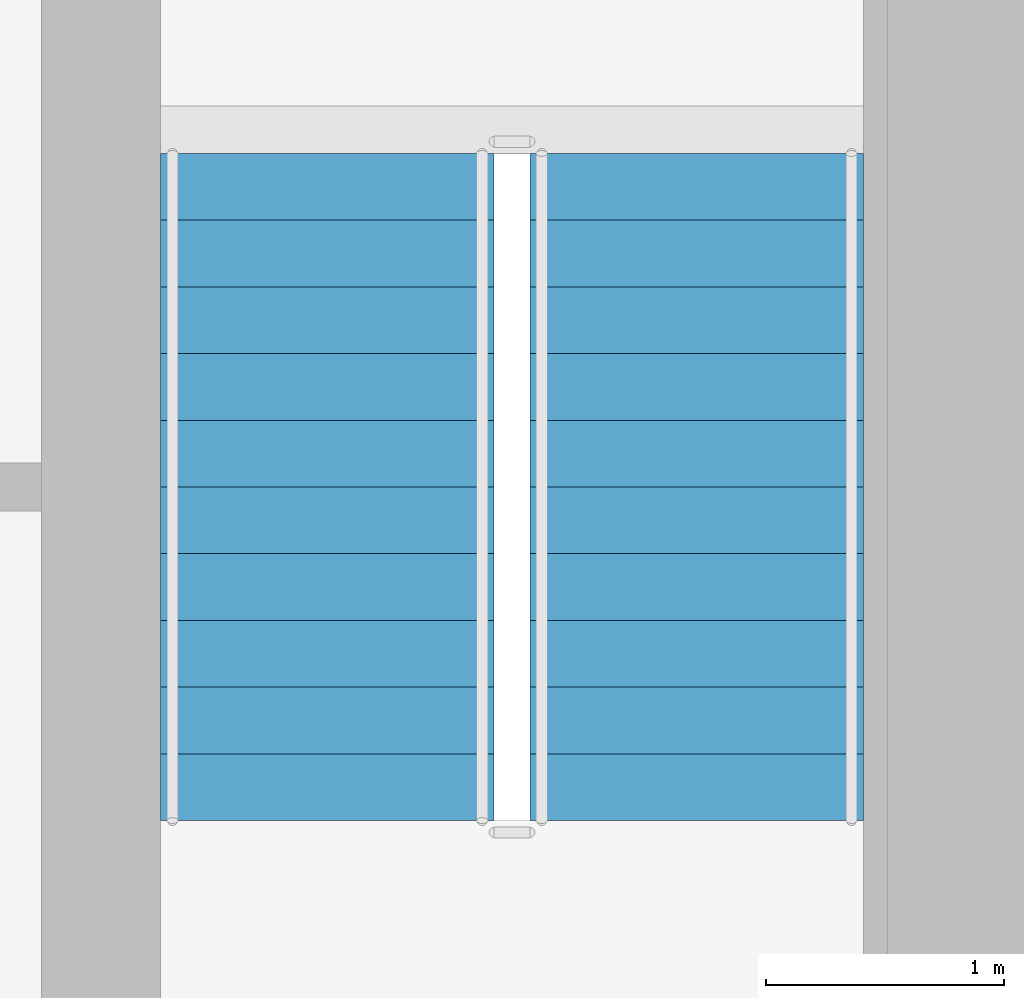
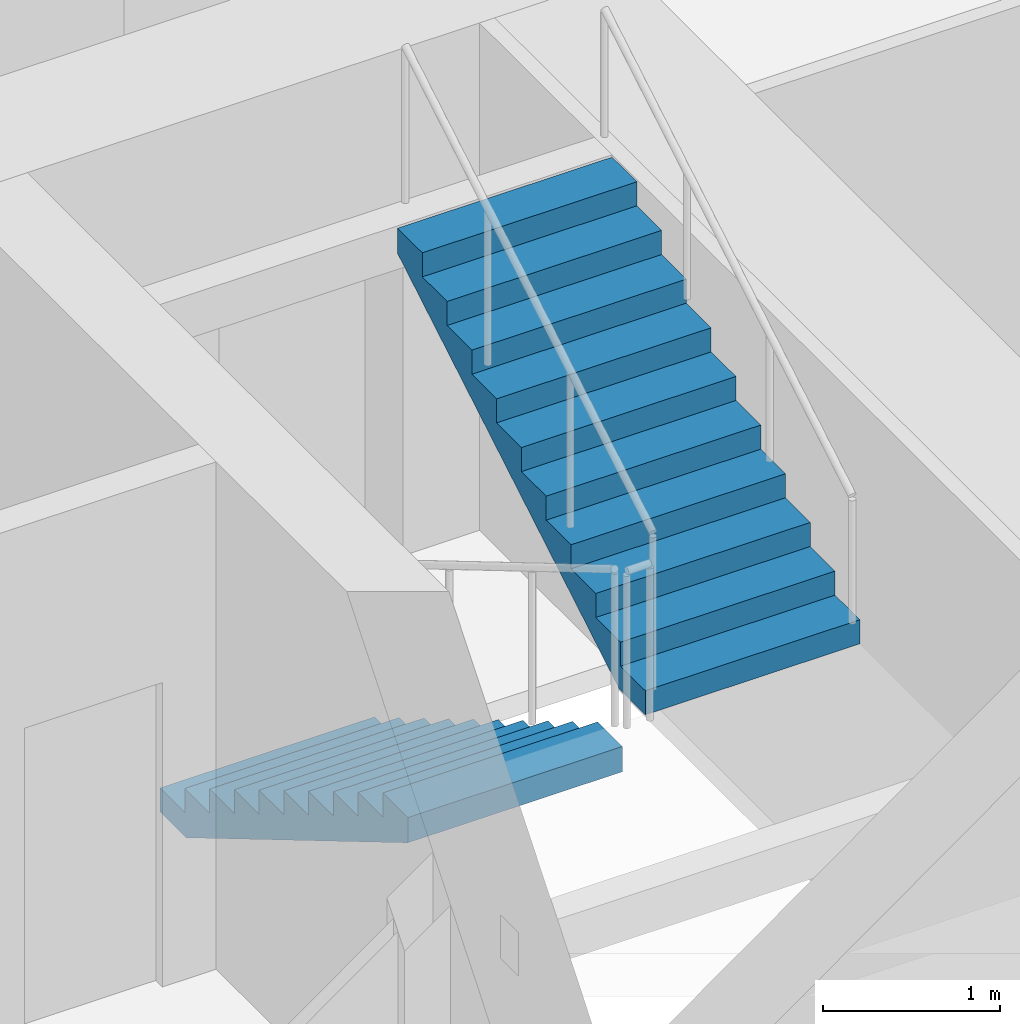
# One storey, part 17 of 21: 2 stair flights, 1 element without a shape of its own.
"""IFC4 building model written with IfcOpenShell, lengths in metres."""

from ifc_helpers import new_model, si_unit, direction, frame, origin, place, context, subcontext, project, spatial, polyline, outline, extrude, material, type_object, element, aggregate, save


model = new_model("IFC4")

# Units and contexts
model_context = context("Model", 3, precision=1e-05, world=origin(), true_north=direction((0.0, 1.0)))
body_context = subcontext(model_context, "Body", "Model", "MODEL_VIEW")
ifc_project = project(units=[si_unit("LENGTHUNIT", "METRE"), si_unit("AREAUNIT", "SQUARE_METRE"), si_unit("VOLUMEUNIT", "CUBIC_METRE"), si_unit("PLANEANGLEUNIT", "RADIAN"), si_unit("MASSUNIT", "GRAM", prefix="KILO")], contexts=[model_context])

# Site, building, storey
site_placement = place(None, origin())
site = spatial("IfcSite", under=ifc_project, at=site_placement, CompositionType="ELEMENT")
building_placement = place(site_placement, origin())
building = spatial("IfcBuilding", under=site, at=building_placement, Name="Isthmus Gate Tower", CompositionType="ELEMENT")
storey_placement = place(building_placement, frame((0.0, 0.0, 106.199951171875)))
storey = spatial("IfcBuildingStorey", under=building, at=storey_placement, Name="L25", CompositionType="ELEMENT", Elevation=106.199951171875)

# Stair, stair flights
ifc_material_1 = material(Name="Concrete f'c 40 MPa", Category="concrete")
stair_type = type_object("IfcStairType", Name="CORE STAIR 22 RISERS", PredefinedType="HALF_TURN_STAIR", material=ifc_material_1)
stair_placement = place(storey_placement, origin())
stair = element("IfcStair", 1, at=stair_placement, inside=storey, type_object=stair_type, Name="L25 Exit Stair 2", PredefinedType="HALF_TURN_STAIR")
ifc_material_2 = material(Name="Concrete f'c 40 MPa", Category="concrete")
stair_flight_type = type_object("IfcStairFlightType", Name="STAIR FLIGHT RC 1400", PredefinedType="STRAIGHT", material=ifc_material_2)
stair_flight_1_placement = place(storey_placement, frame((11.75, 12.60009765625, 0.0), z_axis=(0.0, 0.0, 1.0), x_axis=(0.0, -1.0, 0.0)))
stair_flight_1 = element("IfcStairFlight", 2, at=stair_flight_1_placement, type_object=stair_flight_type, Name="ST2 flight 1", NumberOfRisers=11, NumberOfTreads=10, PredefinedType="STRAIGHT", RiserHeight=0.165909091, TreadLength=0.28, context=body_context, shape_type="SweptSolid", body=[
    extrude(outline(polyline([(0.0, 0.0), (0.0, 0.166015625), (0.280029296875, 0.166015625), (0.280029296875, 0.331787109375), (0.56005859375, 0.331787109375), (0.56005859375, 0.497802734375), (0.840087890625, 0.497802734375), (0.840087890625, 0.66357421875), (1.1201171875, 0.66357421875), (1.1201171875, 0.82958984375), (1.39990234375, 0.82958984375), (1.39990234375, 0.995361328125), (1.679931640625, 0.995361328125), (1.679931640625, 1.161376953125), (1.9599609375, 1.161376953125), (1.9599609375, 1.327392578125), (2.239990234375, 1.327392578125), (2.239990234375, 1.4931640625), (2.52001953125, 1.4931640625), (2.52001953125, 1.6591796875), (2.800048828125, 1.6591796875), (2.800048828125, 1.824951171875), (2.800048828125, 1.48486328125), (0.2939453125, 0.0), (0.0, 0.0)])), frame((0.0, 0.699951171875, 0.0), z_axis=(0.0, -1.0, 0.0), x_axis=(1.0, 0.0, 0.0)), (0.0, 0.0, 1.0), 1.39990234375),
])
stair_flight_2_placement = place(storey_placement, frame((13.300048828125, 9.800048828125, 1.824951171875), z_axis=(0.0, 0.0, 1.0), x_axis=(0.0, 1.0, 0.0)))
stair_flight_2 = element("IfcStairFlight", 3, at=stair_flight_2_placement, type_object=stair_flight_type, Name="ST2 flight 2", NumberOfRisers=11, NumberOfTreads=10, PredefinedType="STRAIGHT", RiserHeight=0.165909091, TreadLength=0.28, context=body_context, shape_type="SweptSolid", body=[
    extrude(outline(polyline([(0.0, 0.0), (0.0, 0.166015625), (0.280029296875, 0.166015625), (0.280029296875, 0.331787109375), (0.56005859375, 0.331787109375), (0.56005859375, 0.497802734375), (0.840087890625, 0.497802734375), (0.840087890625, 0.66357421875), (1.1201171875, 0.66357421875), (1.1201171875, 0.82958984375), (1.39990234375, 0.82958984375), (1.39990234375, 0.995361328125), (1.679931640625, 0.995361328125), (1.679931640625, 1.161376953125), (1.9599609375, 1.161376953125), (1.9599609375, 1.327392578125), (2.239990234375, 1.327392578125), (2.239990234375, 1.4931640625), (2.52001953125, 1.4931640625), (2.52001953125, 1.6591796875), (2.800048828125, 1.6591796875), (2.800048828125, 1.824951171875), (2.800048828125, 1.48486328125), (0.2939453125, 0.0), (0.0, 0.0)])), frame((0.0, 0.699951171875, 0.0), z_axis=(0.0, -1.0, 0.0), x_axis=(1.0, 0.0, 0.0)), (0.0, 0.0, 1.0), 1.39990234375),
])
aggregate(stair, [stair_flight_1, stair_flight_2])

save(model, "model.ifc")
